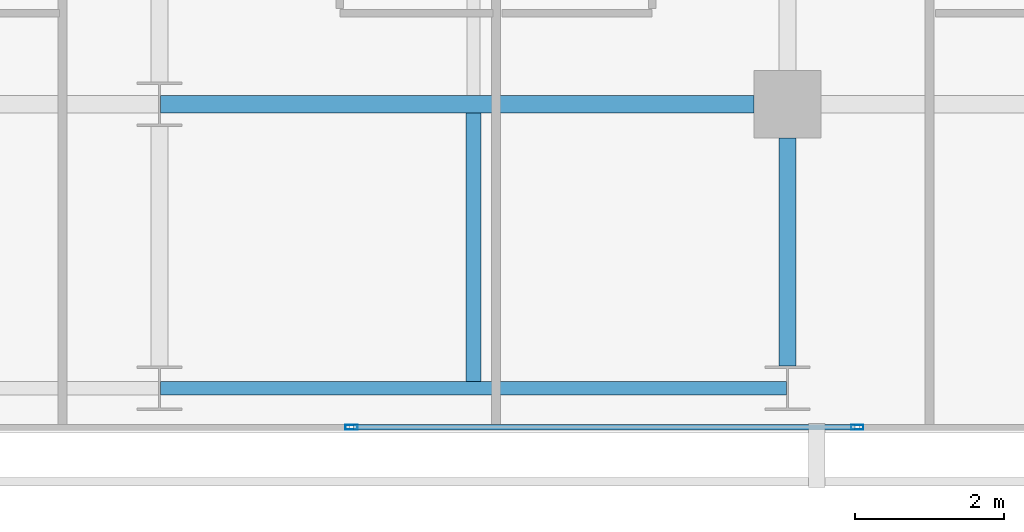
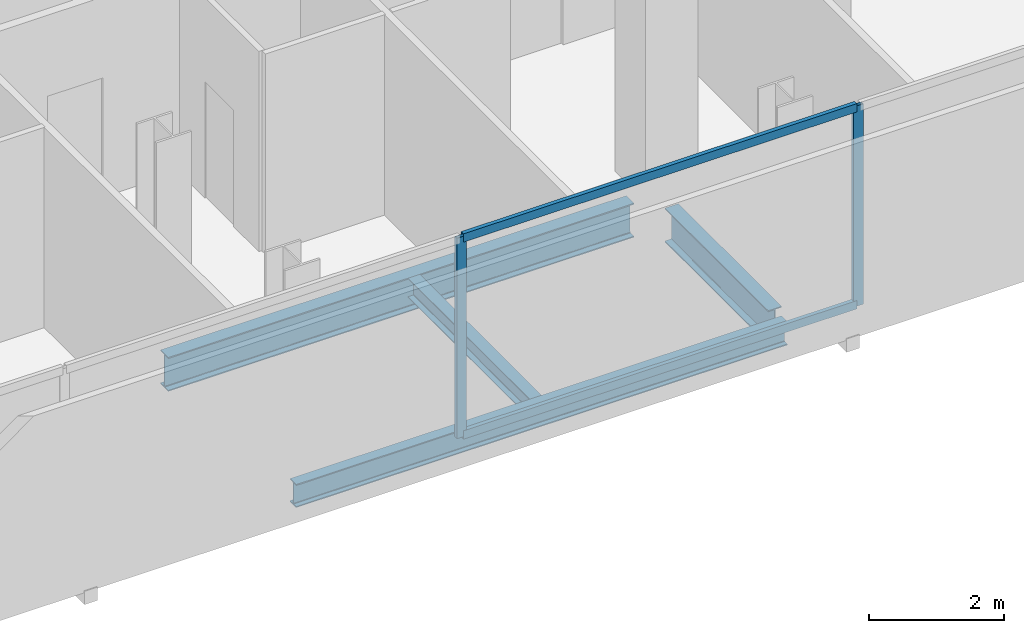
# One storey, part 12 of 34: 4 beams, 4 members, 1 element without a shape of its own.
"""IFC4 building model written with IfcOpenShell, lengths in metres."""

import ifcopenshell
import ifcopenshell.guid

model = None  # the IFC model being written
_history = None  # IfcOwnerHistory: only IFC2X3 demands one
_inside = {}  # id of a spatial element -> (the spatial element, [elements in it])
_under = {}  # id of a project, library or spatial element -> (it, [spatial elements below it])
_declared = {}  # id of a project -> (the project, [libraries it declares])
_typed = {}  # id of a type object -> (the type object, [elements of that type])
_made_of = {}  # id of a material, layer set ... -> (it, [elements and type objects made of it])


def new_model(schema):
    """Start an empty IFC model of exactly this schema.

    Asked for "IFC4X3", IfcOpenShell would pick the latest addendum, in which some entities
    have other attributes; the version numbers below select the first issue.
    IFC2X3 requires an IfcOwnerHistory on every rooted entity: one is made here for all.
    """
    global model, _history
    if schema == "IFC4X3":
        model = ifcopenshell.file(schema_version=(4, 3, 0, 0))
    else:
        model = ifcopenshell.file(schema=schema)
    _inside.clear()
    _under.clear()
    _declared.clear()
    _typed.clear()
    _made_of.clear()
    _history = None
    if model.schema == "IFC2X3":
        org = make("IfcOrganization", Name="unknown")
        user = make(
            "IfcPersonAndOrganization",
            ThePerson=make("IfcPerson", FamilyName="unknown"),
            TheOrganization=org,
        )
        app = make(
            "IfcApplication",
            ApplicationDeveloper=org,
            Version="unknown",
            ApplicationFullName="unknown",
            ApplicationIdentifier="unknown",
        )
        _history = make(
            "IfcOwnerHistory",
            OwningUser=user,
            OwningApplication=app,
            ChangeAction="ADDED",
            CreationDate=0,
        )
    return model


def make(cls, **values):
    """One entity of the class cls with the attributes given. An attribute that is None is left unset."""
    return model.create_entity(
        cls, **{name: value for name, value in values.items() if value is not None}
    )


def rooted(cls, **values):
    """An entity with a GlobalId (a new one), such as an element, a storey or a relation."""
    return make(cls, GlobalId=ifcopenshell.guid.new(), OwnerHistory=_history, **values)


def si_unit(unit_type, name, prefix=None):
    """IfcSIUnit, for example si_unit("LENGTHUNIT", "METRE", prefix="MILLI")."""
    return make("IfcSIUnit", UnitType=unit_type, Prefix=prefix, Name=name)


def assignment(units):
    """IfcUnitAssignment: the units of a project."""
    return None if units is None else make("IfcUnitAssignment", Units=units)


def point(xyz):
    """IfcCartesianPoint."""
    return None if xyz is None else make("IfcCartesianPoint", Coordinates=xyz)


def direction(xyz):
    """IfcDirection."""
    return None if xyz is None else make("IfcDirection", DirectionRatios=xyz)


def frame(location, z_axis=None, x_axis=None):
    """IfcAxis2Placement3D, a coordinate frame: its origin and axes. An axis left out is left unset."""
    return make(
        "IfcAxis2Placement3D",
        Location=point(location),
        Axis=direction(z_axis),
        RefDirection=direction(x_axis),
    )


def frame_2d(location, x_axis=None):
    """IfcAxis2Placement2D, a coordinate frame in the plane: its origin and x axis."""
    return make(
        "IfcAxis2Placement2D", Location=point(location), RefDirection=direction(x_axis)
    )


def origin():
    """The frame at (0, 0, 0) with its axes left unset."""
    return frame((0.0, 0.0, 0.0))


def origin_2d():
    """The frame at (0, 0) in the plane with its x axis left unset."""
    return frame_2d((0.0, 0.0))


def place(relative_to, where):
    """IfcLocalPlacement: puts the frame where relative to a parent placement (None: the world)."""
    return make(
        "IfcLocalPlacement", PlacementRelTo=relative_to, RelativePlacement=where
    )


def context(
    kind, dimensions, precision=None, world=None, true_north=None, identifier=None
):
    """IfcGeometricRepresentationContext, for example the 3D "Model" context."""
    return make(
        "IfcGeometricRepresentationContext",
        ContextIdentifier=identifier,
        ContextType=kind,
        CoordinateSpaceDimension=dimensions,
        Precision=precision,
        WorldCoordinateSystem=world,
        TrueNorth=true_north,
    )


def subcontext(parent, identifier, kind, view, scale=None):
    """IfcGeometricRepresentationSubContext, for example "Body" below "Model"."""
    return make(
        "IfcGeometricRepresentationSubContext",
        ContextIdentifier=identifier,
        ContextType=kind,
        ParentContext=parent,
        TargetScale=scale,
        TargetView=view,
    )


def project(units=None, contexts=None):
    """IfcProject with its units and contexts."""
    return rooted(
        "IfcProject",
        Name="project",
        RepresentationContexts=contexts,
        UnitsInContext=assignment(units),
    )


def spatial(cls, under=None, at=None, **own):
    """A site, building, storey or space (cls), placed at a placement, below another one or the project."""
    s = rooted(cls, ObjectPlacement=at, **own)
    if under is not None:
        _under.setdefault(under.id(), (under, []))[1].append(s)
    return s


def profile(cls, at=None, kind="AREA", **sizes):
    """A parametric profile (cls). Its sizes go by their IFC names, for example OverallWidth=200.0."""
    return make(cls, ProfileType=kind, Position=at, **sizes)


def hollow_rectangle(**sizes):
    """IfcRectangleHollowProfileDef."""
    return profile("IfcRectangleHollowProfileDef", **sizes)


def i_section(**sizes):
    """IfcIShapeProfileDef."""
    return profile("IfcIShapeProfileDef", **sizes)


def extrude(swept, where, along, depth):
    """IfcExtrudedAreaSolid: the profile swept, set in the frame where, extruded along a direction by depth."""
    return make(
        "IfcExtrudedAreaSolid",
        SweptArea=swept,
        Position=where,
        ExtrudedDirection=direction(along),
        Depth=depth,
    )


def shape(context_of_items, identifier, shape_type, items):
    """IfcShapeRepresentation: the items that make up one representation, for example the "Body"."""
    return make(
        "IfcShapeRepresentation",
        ContextOfItems=context_of_items,
        RepresentationIdentifier=identifier,
        RepresentationType=shape_type,
        Items=items,
    )


def material(Name=None, Category=None):
    """IfcMaterial."""
    return make("IfcMaterial", Name=Name, Category=Category)


def layer(
    of_material, thickness, ventilated=None, Name=None, Category=None, Priority=None
):
    """IfcMaterialLayer: one layer of a wall or slab, of a material (None: an air gap)."""
    return make(
        "IfcMaterialLayer",
        Material=of_material,
        LayerThickness=thickness,
        IsVentilated=ventilated,
        Name=Name,
        Category=Category,
        Priority=Priority,
    )


def layer_set(layers, Name=None):
    """IfcMaterialLayerSet."""
    return make("IfcMaterialLayerSet", MaterialLayers=layers, LayerSetName=Name)


def material_profile(
    of_material, cross_section, Name=None, Category=None, Priority=None
):
    """IfcMaterialProfile: a cross section and its material."""
    return make(
        "IfcMaterialProfile",
        Name=Name,
        Material=of_material,
        Profile=cross_section,
        Priority=Priority,
        Category=Category,
    )


def profile_set(profiles, Name=None, composite=None):
    """IfcMaterialProfileSet."""
    return make(
        "IfcMaterialProfileSet",
        Name=Name,
        MaterialProfiles=profiles,
        CompositeProfile=composite,
    )


def made_of(thing, what):
    """Note that an element or type object is made of a material, layer set ...; save() writes the relation."""
    if what is not None:
        _made_of.setdefault(what.id(), (what, []))[1].append(thing)
    return thing


def type_object(cls, material=None, **own):
    """A type object (cls), such as IfcWallType, which elements share."""
    return made_of(rooted(cls, **own), material)


def element(
    cls,
    number,
    at=None,
    inside=None,
    cuts=None,
    type_object=None,
    material=None,
    context=None,
    identifier="Body",
    shape_type=None,
    held_by="IfcProductDefinitionShape",
    body=None,
    shapes=None,
    **own,
):
    """One element of the class cls, such as IfcWall. Its Tag is "e" and its number.

    at: its placement. inside: the storey or other place that contains it. cuts: it is an
    opening in that element (IfcRelVoidsElement). A single representation is given by context,
    identifier, shape_type and body (its items); several are given by shapes. held_by: the class
    of the entity that holds the representations. save() writes the other relations.
    """
    e = rooted(cls, Tag="e%d" % number, ObjectPlacement=at, **own)
    if body is not None:
        shapes = [shape(context, identifier, shape_type, body)]
    if shapes is not None:
        e.Representation = make(held_by, Representations=shapes)
    if inside is not None:
        _inside.setdefault(inside.id(), (inside, []))[1].append(e)
    if cuts is not None:
        rooted(
            "IfcRelVoidsElement", RelatingBuildingElement=cuts, RelatedOpeningElement=e
        )
    if type_object is not None:
        _typed.setdefault(type_object.id(), (type_object, []))[1].append(e)
    return made_of(e, material)


def aggregate(whole, parts):
    """IfcRelAggregates: a whole, such as a stair, and the parts it consists of."""
    return rooted("IfcRelAggregates", RelatingObject=whole, RelatedObjects=parts)


def save(model, path):
    """Write the relations noted so far, then the file.

    IfcRelAggregates (storeys below a building ...), IfcRelContainedInSpatialStructure (elements
    in a storey), IfcRelDefinesByType, IfcRelAssociatesMaterial and IfcRelDeclares: one each for
    every whole, place, type object, material and project.
    """
    for whole, parts in _under.values():
        aggregate(whole, parts)
    for where, things in _inside.values():
        rooted(
            "IfcRelContainedInSpatialStructure",
            RelatedElements=things,
            RelatingStructure=where,
        )
    for kind, things in _typed.values():
        rooted("IfcRelDefinesByType", RelatedObjects=things, RelatingType=kind)
    for what, things in _made_of.values():
        rooted("IfcRelAssociatesMaterial", RelatedObjects=things, RelatingMaterial=what)
    for by, libraries in _declared.values():
        rooted("IfcRelDeclares", RelatingContext=by, RelatedDefinitions=libraries)
    model.write(path)


model = new_model("IFC4")

# Units and contexts
model_context = context("Model", 3, precision=1e-05, world=origin(), true_north=direction((0.0, 1.0)))
body_context = subcontext(model_context, "Body", "Model", "MODEL_VIEW")
ifc_project = project(units=[si_unit("LENGTHUNIT", "METRE"), si_unit("AREAUNIT", "SQUARE_METRE"), si_unit("VOLUMEUNIT", "CUBIC_METRE"), si_unit("PLANEANGLEUNIT", "RADIAN"), si_unit("MASSUNIT", "GRAM", prefix="KILO")], contexts=[model_context])

# Site, building, storey
site_placement = place(None, origin())
site = spatial("IfcSite", under=ifc_project, at=site_placement, CompositionType="ELEMENT")
building_placement = place(site_placement, origin())
building = spatial("IfcBuilding", under=site, at=building_placement, Name="Maruvema Waterfront Hotel and Observation Tower", CompositionType="ELEMENT")
storey_placement = place(building_placement, frame((0.0, 0.0, 135.10009765625)))
storey = spatial("IfcBuildingStorey", under=building, at=storey_placement, Name="L32", CompositionType="ELEMENT", Elevation=135.10009765625)

# Curtain wall, members
ifc_material_1 = material(Name="Anodised bronze aluminium and solar-control low-E IGU", Category="aluminium")
ifc_layer = layer(ifc_material_1, 0.159912109375, Name="Zone 2 Amber Inner Thermal Curtain Wall System CW-03")
ifc_layer_set = layer_set([ifc_layer], Name="Anodised bronze aluminium and solar-control low-E IGU")
curtain_wall_type = type_object("IfcCurtainWallType", Name="Zone 2 Amber Inner Thermal Curtain Wall System CW-03", PredefinedType="USERDEFINED", material=ifc_layer_set)
curtain_wall_placement = place(storey_placement, origin())
curtain_wall = element("IfcCurtainWall", 1, at=curtain_wall_placement, inside=storey, type_object=curtain_wall_type, Name="L32 Curtain Wall CW-L32-S", ObjectType="UNITISED CURTAIN WALL", PredefinedType="USERDEFINED")
ifc_material_2 = material(Name="Anodised architectural bronze aluminium", Category="aluminium")
ifc_material_profile_1 = material_profile(ifc_material_2, hollow_rectangle(XDim=0.070068359375, YDim=0.14990234375, WallThickness=0.00390625, at=origin_2d()), Name="ALU-T70x150")
ifc_profile_set_1 = profile_set([ifc_material_profile_1], Name="Anodised architectural bronze aluminium")
member_type_1 = type_object("IfcMemberType", Name="Curtain Wall Horizontal Transom ALU-T70x150", PredefinedType="USERDEFINED", material=ifc_profile_set_1)
member_1_placement = place(storey_placement, frame((44.5966796875, 4.679931640625, 0.02978515625), z_axis=(1.0, 0.0, 0.0), x_axis=(0.0, 1.0, 0.0)))
member_1 = element("IfcMember", 2, at=member_1_placement, type_object=member_type_1, Name="CW-03 transom 5.1", ObjectType="TRANSOM", PredefinedType="USERDEFINED", context=body_context, shape_type="SweptSolid", body=[
    extrude(hollow_rectangle(XDim=0.070068359375, YDim=0.14990234375, WallThickness=0.00390625, at=origin_2d()), origin(), (0.0, 0.0, 1.0), 6.70654296875),
])
member_2_placement = place(storey_placement, frame((44.5966796875, 4.679931640625, 3.579833984375), z_axis=(1.0, 0.0, 0.0), x_axis=(0.0, 1.0, 0.0)))
member_2 = element("IfcMember", 3, at=member_2_placement, type_object=member_type_1, Name="CW-03 transom 5.2", ObjectType="TRANSOM", PredefinedType="USERDEFINED", context=body_context, shape_type="SweptSolid", body=[
    extrude(hollow_rectangle(XDim=0.070068359375, YDim=0.14990234375, WallThickness=0.00390625, at=origin_2d()), origin(), (0.0, 0.0, 1.0), 6.70654296875),
])
ifc_material_3 = material(Name="Anodised architectural bronze aluminium", Category="aluminium")
ifc_material_profile_2 = material_profile(ifc_material_3, hollow_rectangle(XDim=0.06494140625, YDim=0.1650390625, WallThickness=0.00390625, at=origin_2d()), Name="ALU-M65x165")
ifc_profile_set_2 = profile_set([ifc_material_profile_2], Name="Anodised architectural bronze aluminium")
member_type_2 = type_object("IfcMemberType", Name="Curtain Wall Primary Mullion ALU-M65x165", PredefinedType="MULLION", material=ifc_profile_set_2)
member_3_placement = place(storey_placement, frame((44.566650390625, 4.679931640625, 0.0), z_axis=(0.0, 0.0, 1.0), x_axis=(0.0, 1.0, 0.0)))
member_3 = element("IfcMember", 4, at=member_3_placement, type_object=member_type_2, Name="CW-03 mullion 5", PredefinedType="MULLION", context=body_context, shape_type="SweptSolid", body=[
    extrude(hollow_rectangle(XDim=0.06494140625, YDim=0.1650390625, WallThickness=0.00390625, at=origin_2d()), origin(), (0.0, 0.0, 1.0), 3.60986328125),
])
member_4_placement = place(storey_placement, frame((51.333251953125, 4.679931640625, 0.0), z_axis=(0.0, 0.0, 1.0), x_axis=(0.0, 1.0, 0.0)))
member_4 = element("IfcMember", 5, at=member_4_placement, type_object=member_type_2, Name="CW-03 mullion 6", PredefinedType="MULLION", context=body_context, shape_type="SweptSolid", body=[
    extrude(hollow_rectangle(XDim=0.06494140625, YDim=0.1650390625, WallThickness=0.00390625, at=origin_2d()), origin(), (0.0, 0.0, 1.0), 3.60986328125),
])
aggregate(curtain_wall, [member_3, member_4, member_1, member_2])

# Beams
ifc_material_4 = material(Name="Steel ASTM A572 Grade 50", Category="steel")
ifc_material_profile_3 = material_profile(ifc_material_4, i_section(OverallWidth=0.180908203125, OverallDepth=0.4169921875, WebThickness=0.010986328125, FlangeThickness=0.018310546875, FilletRadius=0.014892578125, at=origin_2d()), Name="W410x85.0")
ifc_profile_set_3 = profile_set([ifc_material_profile_3], Name="Steel ASTM A572 Grade 50")
beam_type_1 = type_object("IfcBeamType", Name="Perimeter Spandrel Beam W410x85.0", PredefinedType="SPANDREL", material=ifc_profile_set_3)
beam_1_placement = place(storey_placement, frame((42.012451171875, 5.199951171875, -0.448486328125), z_axis=(1.0, 0.0, 0.0), x_axis=(0.0, 1.0, 0.0)))
element("IfcBeam", 6, at=beam_1_placement, inside=storey, type_object=beam_type_1, Name="L32 Floor Girder EW-03", PredefinedType="SPANDREL", context=body_context, shape_type="SweptSolid", body=[
    extrude(i_section(OverallWidth=0.180908203125, OverallDepth=0.4169921875, WebThickness=0.010986328125, FlangeThickness=0.018310546875, FilletRadius=0.014892578125, at=origin_2d()), origin(), (0.0, 0.0, 1.0), 8.375),
])
ifc_material_5 = material(Name="Steel ASTM A572 Grade 50", Category="steel")
ifc_material_profile_4 = material_profile(ifc_material_5, i_section(OverallWidth=0.22900390625, OverallDepth=0.612060546875, WebThickness=0.011962890625, FlangeThickness=0.01953125, FilletRadius=0.01806640625, at=origin_2d()), Name="W610x125.0")
ifc_profile_set_4 = profile_set([ifc_material_profile_4], Name="Steel ASTM A572 Grade 50")
beam_type_2 = type_object("IfcBeamType", Name="Primary Floor Girder W610x125.0", PredefinedType="BEAM", material=ifc_profile_set_4)
beam_2_placement = place(storey_placement, frame((42.012451171875, 9.0, -0.546142578125), z_axis=(1.0, 0.0, 0.0), x_axis=(0.0, 1.0, 0.0)))
element("IfcBeam", 7, at=beam_2_placement, inside=storey, type_object=beam_type_2, Name="L32 Floor Girder EW-08", PredefinedType="BEAM", context=body_context, shape_type="SweptSolid", body=[
    extrude(i_section(OverallWidth=0.22900390625, OverallDepth=0.612060546875, WebThickness=0.011962890625, FlangeThickness=0.01953125, FilletRadius=0.01806640625, at=origin_2d()), origin(), (0.0, 0.0, 1.0), 7.9375),
])
beam_3_placement = place(storey_placement, frame((50.39990234375, 5.5, -0.546142578125), z_axis=(0.0, 1.0, 0.0), x_axis=(-1.0, 0.0, 0.0)))
element("IfcBeam", 8, at=beam_3_placement, inside=storey, type_object=beam_type_2, Name="L32 Floor Girder NS-20", PredefinedType="BEAM", context=body_context, shape_type="SweptSolid", body=[
    extrude(i_section(OverallWidth=0.22900390625, OverallDepth=0.612060546875, WebThickness=0.011962890625, FlangeThickness=0.01953125, FilletRadius=0.01806640625, at=origin_2d()), origin(), (0.0, 0.0, 1.0), 3.050048828125),
])
ifc_material_6 = material(Name="Steel ASTM A572 Grade 50", Category="steel")
ifc_material_profile_5 = material_profile(ifc_material_6, i_section(OverallWidth=0.202880859375, OverallDepth=0.346923828125, WebThickness=0.0078125, FlangeThickness=0.013427734375, FilletRadius=0.014892578125, at=origin_2d()), Name="W360x64.0")
ifc_profile_set_5 = profile_set([ifc_material_profile_5], Name="Steel ASTM A572 Grade 50")
beam_type_3 = type_object("IfcBeamType", Name="Secondary Floor Joist W360x64.0", PredefinedType="JOIST", material=ifc_profile_set_5)
beam_4_placement = place(storey_placement, frame((46.199951171875, 5.29052734375, -0.41357421875), z_axis=(0.0, 1.0, 0.0), x_axis=(-1.0, 0.0, 0.0)))
element("IfcBeam", 9, at=beam_4_placement, inside=storey, type_object=beam_type_3, Name="L32 Secondary Floor Joist JS-09", PredefinedType="JOIST", context=body_context, shape_type="SweptSolid", body=[
    extrude(i_section(OverallWidth=0.202880859375, OverallDepth=0.346923828125, WebThickness=0.0078125, FlangeThickness=0.013427734375, FilletRadius=0.014892578125, at=origin_2d()), origin(), (0.0, 0.0, 1.0), 3.594970703125),
])

save(model, "model.ifc")
